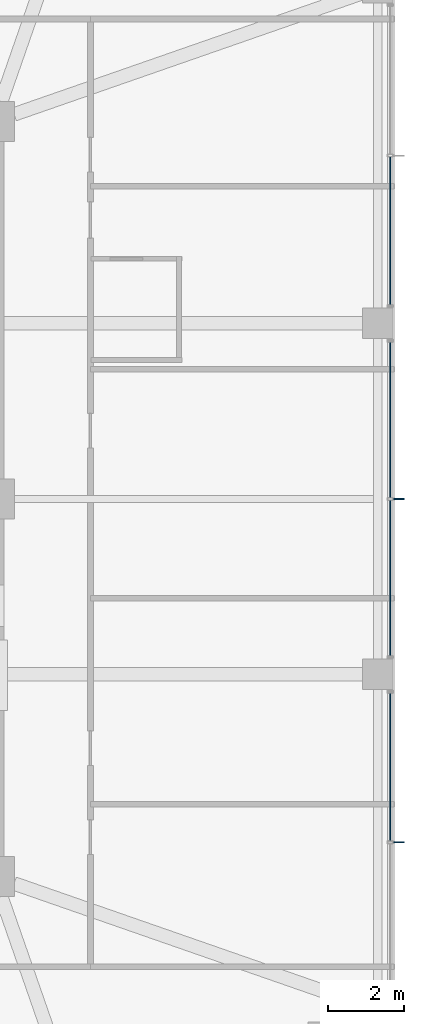
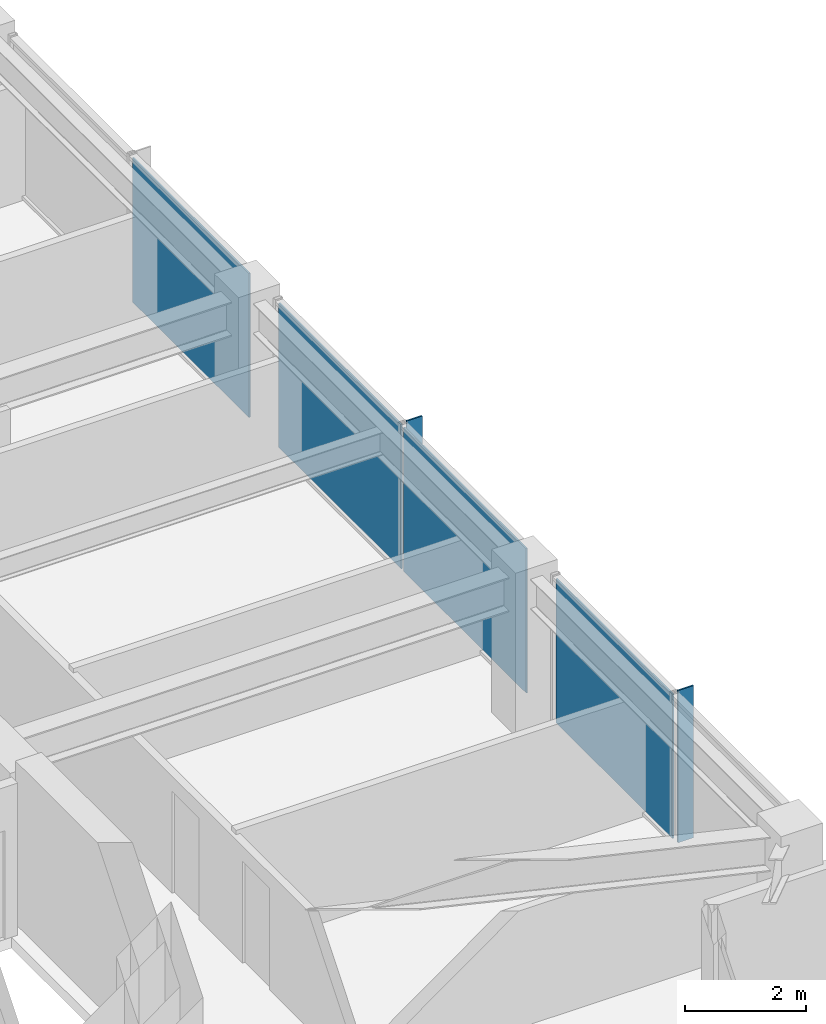
# One storey, part 27 of 36: 6 plates, 3 elements without a shape of their own.
"""IFC4 building model written with IfcOpenShell, lengths in metres."""

import ifcopenshell
import ifcopenshell.guid

model = None  # the IFC model being written
_history = None  # IfcOwnerHistory: only IFC2X3 demands one
_inside = {}  # id of a spatial element -> (the spatial element, [elements in it])
_under = {}  # id of a project, library or spatial element -> (it, [spatial elements below it])
_declared = {}  # id of a project -> (the project, [libraries it declares])
_typed = {}  # id of a type object -> (the type object, [elements of that type])
_made_of = {}  # id of a material, layer set ... -> (it, [elements and type objects made of it])


def new_model(schema):
    """Start an empty IFC model of exactly this schema.

    Asked for "IFC4X3", IfcOpenShell would pick the latest addendum, in which some entities
    have other attributes; the version numbers below select the first issue.
    IFC2X3 requires an IfcOwnerHistory on every rooted entity: one is made here for all.
    """
    global model, _history
    if schema == "IFC4X3":
        model = ifcopenshell.file(schema_version=(4, 3, 0, 0))
    else:
        model = ifcopenshell.file(schema=schema)
    _inside.clear()
    _under.clear()
    _declared.clear()
    _typed.clear()
    _made_of.clear()
    _history = None
    if model.schema == "IFC2X3":
        org = make("IfcOrganization", Name="unknown")
        user = make(
            "IfcPersonAndOrganization",
            ThePerson=make("IfcPerson", FamilyName="unknown"),
            TheOrganization=org,
        )
        app = make(
            "IfcApplication",
            ApplicationDeveloper=org,
            Version="unknown",
            ApplicationFullName="unknown",
            ApplicationIdentifier="unknown",
        )
        _history = make(
            "IfcOwnerHistory",
            OwningUser=user,
            OwningApplication=app,
            ChangeAction="ADDED",
            CreationDate=0,
        )
    return model


def make(cls, **values):
    """One entity of the class cls with the attributes given. An attribute that is None is left unset."""
    return model.create_entity(
        cls, **{name: value for name, value in values.items() if value is not None}
    )


def rooted(cls, **values):
    """An entity with a GlobalId (a new one), such as an element, a storey or a relation."""
    return make(cls, GlobalId=ifcopenshell.guid.new(), OwnerHistory=_history, **values)


def si_unit(unit_type, name, prefix=None):
    """IfcSIUnit, for example si_unit("LENGTHUNIT", "METRE", prefix="MILLI")."""
    return make("IfcSIUnit", UnitType=unit_type, Prefix=prefix, Name=name)


def assignment(units):
    """IfcUnitAssignment: the units of a project."""
    return None if units is None else make("IfcUnitAssignment", Units=units)


def point(xyz):
    """IfcCartesianPoint."""
    return None if xyz is None else make("IfcCartesianPoint", Coordinates=xyz)


def direction(xyz):
    """IfcDirection."""
    return None if xyz is None else make("IfcDirection", DirectionRatios=xyz)


def frame(location, z_axis=None, x_axis=None):
    """IfcAxis2Placement3D, a coordinate frame: its origin and axes. An axis left out is left unset."""
    return make(
        "IfcAxis2Placement3D",
        Location=point(location),
        Axis=direction(z_axis),
        RefDirection=direction(x_axis),
    )


def frame_2d(location, x_axis=None):
    """IfcAxis2Placement2D, a coordinate frame in the plane: its origin and x axis."""
    return make(
        "IfcAxis2Placement2D", Location=point(location), RefDirection=direction(x_axis)
    )


def origin():
    """The frame at (0, 0, 0) with its axes left unset."""
    return frame((0.0, 0.0, 0.0))


def origin_2d():
    """The frame at (0, 0) in the plane with its x axis left unset."""
    return frame_2d((0.0, 0.0))


def place(relative_to, where):
    """IfcLocalPlacement: puts the frame where relative to a parent placement (None: the world)."""
    return make(
        "IfcLocalPlacement", PlacementRelTo=relative_to, RelativePlacement=where
    )


def context(
    kind, dimensions, precision=None, world=None, true_north=None, identifier=None
):
    """IfcGeometricRepresentationContext, for example the 3D "Model" context."""
    return make(
        "IfcGeometricRepresentationContext",
        ContextIdentifier=identifier,
        ContextType=kind,
        CoordinateSpaceDimension=dimensions,
        Precision=precision,
        WorldCoordinateSystem=world,
        TrueNorth=true_north,
    )


def subcontext(parent, identifier, kind, view, scale=None):
    """IfcGeometricRepresentationSubContext, for example "Body" below "Model"."""
    return make(
        "IfcGeometricRepresentationSubContext",
        ContextIdentifier=identifier,
        ContextType=kind,
        ParentContext=parent,
        TargetScale=scale,
        TargetView=view,
    )


def project(units=None, contexts=None):
    """IfcProject with its units and contexts."""
    return rooted(
        "IfcProject",
        Name="project",
        RepresentationContexts=contexts,
        UnitsInContext=assignment(units),
    )


def spatial(cls, under=None, at=None, **own):
    """A site, building, storey or space (cls), placed at a placement, below another one or the project."""
    s = rooted(cls, ObjectPlacement=at, **own)
    if under is not None:
        _under.setdefault(under.id(), (under, []))[1].append(s)
    return s


def profile(cls, at=None, kind="AREA", **sizes):
    """A parametric profile (cls). Its sizes go by their IFC names, for example OverallWidth=200.0."""
    return make(cls, ProfileType=kind, Position=at, **sizes)


def rectangle(**sizes):
    """IfcRectangleProfileDef."""
    return profile("IfcRectangleProfileDef", **sizes)


def extrude(swept, where, along, depth):
    """IfcExtrudedAreaSolid: the profile swept, set in the frame where, extruded along a direction by depth."""
    return make(
        "IfcExtrudedAreaSolid",
        SweptArea=swept,
        Position=where,
        ExtrudedDirection=direction(along),
        Depth=depth,
    )


def shape(context_of_items, identifier, shape_type, items):
    """IfcShapeRepresentation: the items that make up one representation, for example the "Body"."""
    return make(
        "IfcShapeRepresentation",
        ContextOfItems=context_of_items,
        RepresentationIdentifier=identifier,
        RepresentationType=shape_type,
        Items=items,
    )


def material(Name=None, Category=None):
    """IfcMaterial."""
    return make("IfcMaterial", Name=Name, Category=Category)


def layer(
    of_material, thickness, ventilated=None, Name=None, Category=None, Priority=None
):
    """IfcMaterialLayer: one layer of a wall or slab, of a material (None: an air gap)."""
    return make(
        "IfcMaterialLayer",
        Material=of_material,
        LayerThickness=thickness,
        IsVentilated=ventilated,
        Name=Name,
        Category=Category,
        Priority=Priority,
    )


def layer_set(layers, Name=None):
    """IfcMaterialLayerSet."""
    return make("IfcMaterialLayerSet", MaterialLayers=layers, LayerSetName=Name)


def made_of(thing, what):
    """Note that an element or type object is made of a material, layer set ...; save() writes the relation."""
    if what is not None:
        _made_of.setdefault(what.id(), (what, []))[1].append(thing)
    return thing


def type_object(cls, material=None, **own):
    """A type object (cls), such as IfcWallType, which elements share."""
    return made_of(rooted(cls, **own), material)


def element(
    cls,
    number,
    at=None,
    inside=None,
    cuts=None,
    type_object=None,
    material=None,
    context=None,
    identifier="Body",
    shape_type=None,
    held_by="IfcProductDefinitionShape",
    body=None,
    shapes=None,
    **own,
):
    """One element of the class cls, such as IfcWall. Its Tag is "e" and its number.

    at: its placement. inside: the storey or other place that contains it. cuts: it is an
    opening in that element (IfcRelVoidsElement). A single representation is given by context,
    identifier, shape_type and body (its items); several are given by shapes. held_by: the class
    of the entity that holds the representations. save() writes the other relations.
    """
    e = rooted(cls, Tag="e%d" % number, ObjectPlacement=at, **own)
    if body is not None:
        shapes = [shape(context, identifier, shape_type, body)]
    if shapes is not None:
        e.Representation = make(held_by, Representations=shapes)
    if inside is not None:
        _inside.setdefault(inside.id(), (inside, []))[1].append(e)
    if cuts is not None:
        rooted(
            "IfcRelVoidsElement", RelatingBuildingElement=cuts, RelatedOpeningElement=e
        )
    if type_object is not None:
        _typed.setdefault(type_object.id(), (type_object, []))[1].append(e)
    return made_of(e, material)


def aggregate(whole, parts):
    """IfcRelAggregates: a whole, such as a stair, and the parts it consists of."""
    return rooted("IfcRelAggregates", RelatingObject=whole, RelatedObjects=parts)


def save(model, path):
    """Write the relations noted so far, then the file.

    IfcRelAggregates (storeys below a building ...), IfcRelContainedInSpatialStructure (elements
    in a storey), IfcRelDefinesByType, IfcRelAssociatesMaterial and IfcRelDeclares: one each for
    every whole, place, type object, material and project.
    """
    for whole, parts in _under.values():
        aggregate(whole, parts)
    for where, things in _inside.values():
        rooted(
            "IfcRelContainedInSpatialStructure",
            RelatedElements=things,
            RelatingStructure=where,
        )
    for kind, things in _typed.values():
        rooted("IfcRelDefinesByType", RelatedObjects=things, RelatingType=kind)
    for what, things in _made_of.values():
        rooted("IfcRelAssociatesMaterial", RelatedObjects=things, RelatingMaterial=what)
    for by, libraries in _declared.values():
        rooted("IfcRelDeclares", RelatingContext=by, RelatedDefinitions=libraries)
    model.write(path)


model = new_model("IFC4")

# Units and contexts
model_context = context("Model", 3, precision=1e-05, world=origin(), true_north=direction((0.0, 1.0)))
body_context = subcontext(model_context, "Body", "Model", "MODEL_VIEW")
ifc_project = project(units=[si_unit("LENGTHUNIT", "METRE"), si_unit("AREAUNIT", "SQUARE_METRE"), si_unit("VOLUMEUNIT", "CUBIC_METRE"), si_unit("PLANEANGLEUNIT", "RADIAN"), si_unit("MASSUNIT", "GRAM", prefix="KILO")], contexts=[model_context])

# Site, building, storey
site_placement = place(None, origin())
site = spatial("IfcSite", under=ifc_project, at=site_placement, CompositionType="ELEMENT")
building_placement = place(site_placement, origin())
building = spatial("IfcBuilding", under=site, at=building_placement, Name="Kolvaren Belvedere", CompositionType="ELEMENT")
storey_placement = place(building_placement, frame((0.0, 0.0, 196.5)))
storey = spatial("IfcBuildingStorey", under=building, at=storey_placement, Name="L57", CompositionType="ELEMENT", Elevation=196.5)

# Curtain wall, plate
ifc_material_1 = material(Name="Anodised pale-metal aluminium AA 6063-T6", Category="aluminium")
curtain_wall_type = type_object("IfcCurtainWallType", Name="CW-Z5-HIGH", PredefinedType="NOTDEFINED", material=ifc_material_1)
curtain_wall_1_placement = place(storey_placement, origin())
curtain_wall_1 = element("IfcCurtainWall", 1, at=curtain_wall_1_placement, inside=storey, type_object=curtain_wall_type, Name="L57 Unitised Curtain Wall FCW-L57-E-B1", PredefinedType="NOTDEFINED")
ifc_material_2 = material(Name="Low-iron triple insulated glass", Category="glass")
ifc_layer_1 = layer(ifc_material_2, 0.028076171875)
ifc_layer_set_1 = layer_set([ifc_layer_1], Name="Low-iron triple insulated glass")
plate_type_1 = type_object("IfcPlateType", Name="CW-PNL-VIS28", PredefinedType="CURTAIN_PANEL", material=ifc_layer_set_1)
plate_1_placement = place(storey_placement, frame((20.280029296875, 7.027587890625, 0.080078125), z_axis=(0.0, 0.0, 1.0), x_axis=(0.0, -1.0, 0.0)))
plate_1 = element("IfcPlate", 2, at=plate_1_placement, type_object=plate_type_1, Name="FCW-L57-E-B1 Vision Glazing Panel 2", PredefinedType="CURTAIN_PANEL", context=body_context, shape_type="SweptSolid", body=[
    extrude(rectangle(XDim=3.864990234375, YDim=0.028076171875, at=origin_2d()), origin(), (0.0, 0.0, 1.0), 2.919921875),
])
aggregate(curtain_wall_1, [plate_1])

# Curtain wall, plates
curtain_wall_2_placement = place(storey_placement, origin())
curtain_wall_2 = element("IfcCurtainWall", 3, at=curtain_wall_2_placement, inside=storey, type_object=curtain_wall_type, Name="L57 Unitised Curtain Wall FCW-L57-E-B2", PredefinedType="NOTDEFINED")
plate_2_placement = place(storey_placement, frame((20.280029296875, 2.072509765625, 0.080078125), z_axis=(0.0, 0.0, 1.0), x_axis=(0.0, -1.0, 0.0)))
plate_2 = element("IfcPlate", 4, at=plate_2_placement, type_object=plate_type_1, Name="FCW-L57-E-B2 Vision Glazing Panel 1", PredefinedType="CURTAIN_PANEL", context=body_context, shape_type="SweptSolid", body=[
    extrude(rectangle(XDim=4.06494140625, YDim=0.028076171875, at=origin_2d()), origin(), (0.0, 0.0, 1.0), 2.919921875),
])
plate_3_placement = place(storey_placement, frame((20.280029296875, -2.072509765625, 0.080078125), z_axis=(0.0, 0.0, 1.0), x_axis=(0.0, -1.0, 0.0)))
plate_3 = element("IfcPlate", 5, at=plate_3_placement, type_object=plate_type_1, Name="FCW-L57-E-B2 Vision Glazing Panel 2", PredefinedType="CURTAIN_PANEL", context=body_context, shape_type="SweptSolid", body=[
    extrude(rectangle(XDim=4.06494140625, YDim=0.028076171875, at=origin_2d()), origin(), (0.0, 0.0, 1.0), 2.919921875),
])
aggregate(curtain_wall_2, [plate_2, plate_3])

# Curtain wall, plate
curtain_wall_3_placement = place(storey_placement, origin())
curtain_wall_3 = element("IfcCurtainWall", 6, at=curtain_wall_3_placement, inside=storey, type_object=curtain_wall_type, Name="L57 Unitised Curtain Wall FCW-L57-E-B3", PredefinedType="NOTDEFINED")
plate_4_placement = place(storey_placement, frame((20.280029296875, -7.027587890625, 0.080078125), z_axis=(0.0, 0.0, 1.0), x_axis=(0.0, -1.0, 0.0)))
plate_4 = element("IfcPlate", 7, at=plate_4_placement, type_object=plate_type_1, Name="FCW-L57-E-B3 Vision Glazing Panel 1", PredefinedType="CURTAIN_PANEL", context=body_context, shape_type="SweptSolid", body=[
    extrude(rectangle(XDim=3.864990234375, YDim=0.028076171875, at=origin_2d()), origin(), (0.0, 0.0, 1.0), 2.919921875),
])
aggregate(curtain_wall_3, [plate_4])

# Plates
ifc_material_3 = material(Name="Anodised pale-metal aluminium AA 6063-T6", Category="aluminium")
ifc_layer_2 = layer(ifc_material_3, 0.030029296875)
ifc_layer_set_2 = layer_set([ifc_layer_2], Name="Anodised pale-metal aluminium AA 6063-T6")
plate_type_2 = type_object("IfcPlateType", Name="FIN-VERT-300", PredefinedType="USERDEFINED", material=ifc_layer_set_2)
for number, where, z_axis, x_axis, name in (
    (8, (20.489990234375, 0.0, 0.0), (0.0, 0.0, 1.0), (1.0, 0.0, 0.0), "L57 Pale-Metal Vertical Shading Fin FCW-L57-E-B2-1"),
    (9, (20.489990234375, -9.0, 0.0), (0.0, 0.0, 1.0), (1.0, 0.0, 0.0), "L57 Pale-Metal Vertical Shading Fin FCW-L57-E-B3-1"),
):
    element("IfcPlate", number, at=place(storey_placement, frame(where, z_axis=z_axis, x_axis=x_axis)), inside=storey, type_object=plate_type_2, Name=name, ObjectType="VERTICAL FIN", PredefinedType="USERDEFINED", context=body_context, shape_type="SweptSolid", body=[
        extrude(rectangle(XDim=0.300048828125, YDim=0.030029296875, at=origin_2d()), origin(), (0.0, 0.0, 1.0), 3.080078125),
    ])

save(model, "model.ifc")
